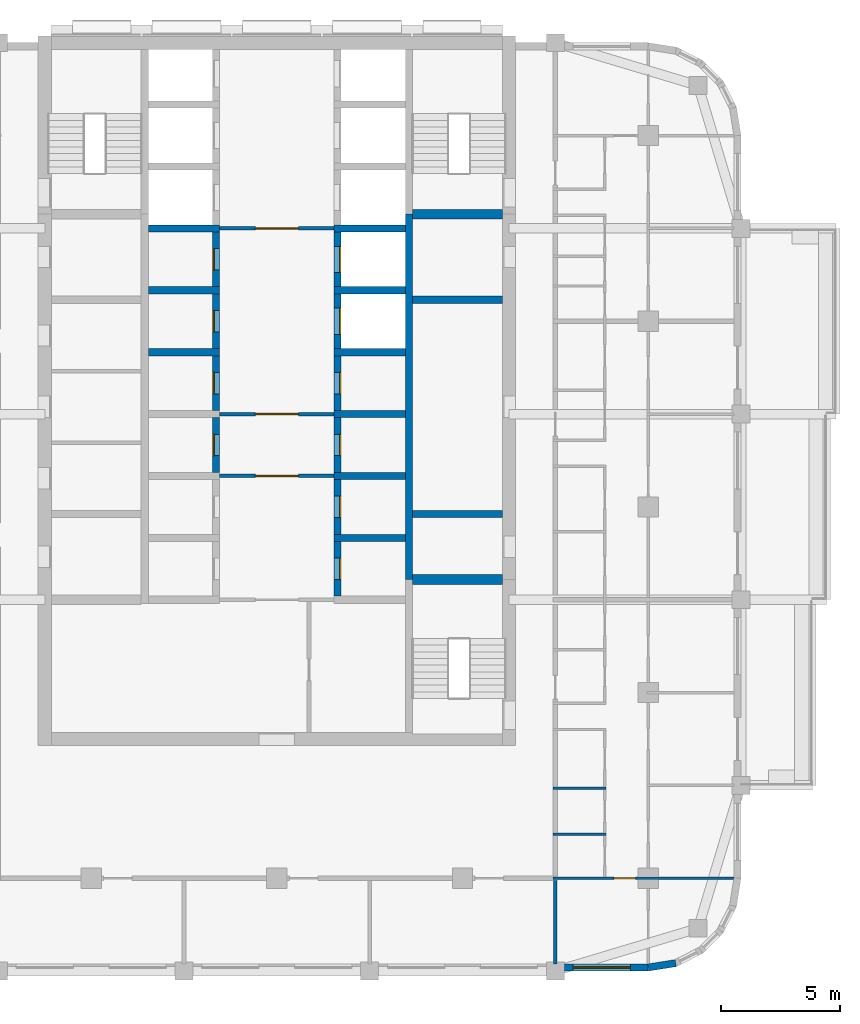
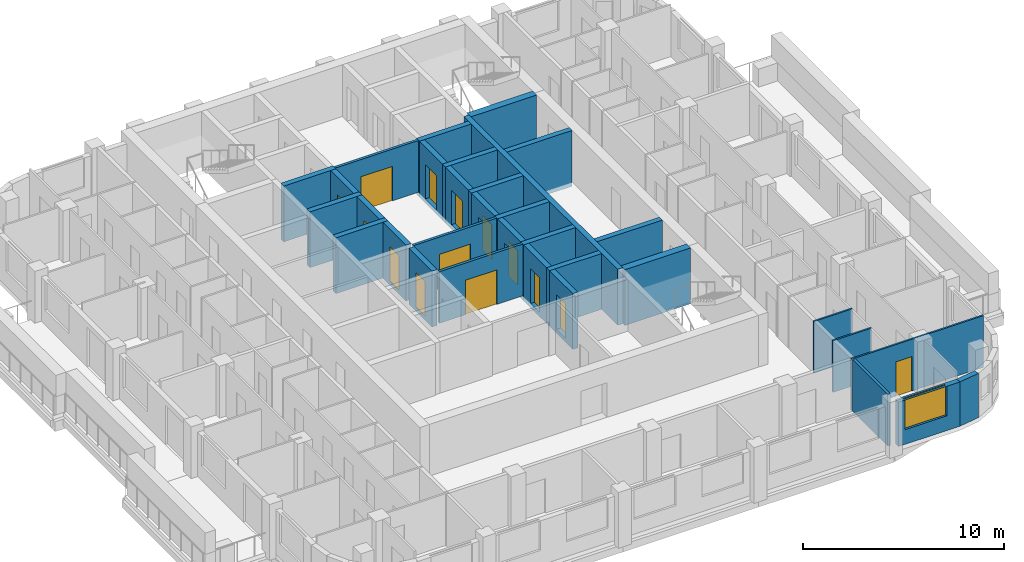
# One storey, part 5 of 13: 33 walls, 14 doors, 1 window, 15 openings.
"""IFC4 building model written with IfcOpenShell, lengths in metres."""

from ifc_helpers import new_model, si_unit, direction, frame, frame_2d, origin, place, context, subcontext, project, spatial, rectangle, extrude, material, layer, layer_set, type_object, element, fill, save


model = new_model("IFC4")

# Units and contexts
model_context = context("Model", 3, precision=1e-05, world=origin(), true_north=direction((0.0, 1.0)))
body_context = subcontext(model_context, "Body", "Model", "MODEL_VIEW")
ifc_project = project(units=[si_unit("LENGTHUNIT", "METRE"), si_unit("AREAUNIT", "SQUARE_METRE"), si_unit("VOLUMEUNIT", "CUBIC_METRE"), si_unit("PLANEANGLEUNIT", "RADIAN"), si_unit("MASSUNIT", "GRAM", prefix="KILO")], contexts=[model_context])

# Site, building, storey
site_placement = place(None, origin())
site = spatial("IfcSite", under=ifc_project, at=site_placement, CompositionType="ELEMENT")
building_placement = place(site_placement, origin())
building = spatial("IfcBuilding", under=site, at=building_placement, Name="Ludao Terraces", CompositionType="ELEMENT")
storey_placement = place(building_placement, frame((0.0, 0.0, 186.0)))
storey = spatial("IfcBuildingStorey", under=building, at=storey_placement, Name="L50", CompositionType="ELEMENT", Elevation=186.0)

# Wall, opening, window
ifc_material_1 = material(Name="Granite cladding", Category="masonry")
ifc_layer_1 = layer(ifc_material_1, 0.0400390625, Category="stone")
ifc_material_2 = material(Name="Mineral wool")
ifc_layer_2 = layer(ifc_material_2, 0.06005859375)
ifc_material_3 = material(Name="Concrete C40", Category="concrete")
ifc_layer_3 = layer(ifc_material_3, 0.199951171875, Category="concrete")
ifc_layer_set_1 = layer_set([ifc_layer_1, ifc_layer_2, ifc_layer_3], Name="ENV Stone-clad wall 300")
wall_type_1 = type_object("IfcWallType", Name="ENV Stone-clad wall 300", PredefinedType="SOLIDWALL", material=ifc_layer_set_1)
wall_1_placement = place(storey_placement, frame((97.074951171875, 45.64990234375, 0.0), z_axis=(0.0, 0.0, 1.0), x_axis=(1.0, 0.0, 0.0)))
wall_1 = element("IfcWall", 1, at=wall_1_placement, inside=storey, type_object=wall_type_1, Name="EW-L50-S5", PredefinedType="SOLIDWALL", context=body_context, shape_type="SweptSolid", body=[
    extrude(rectangle(XDim=3.525146484375, YDim=0.300048828125, at=frame_2d((1.7626953125, 0.0))), origin(), (0.0, 0.0, 1.0), 2.699951171875),
])
opening_1_placement = place(wall_1_placement, frame((0.375, 0.0, 0.89990234375)))
opening_1 = element("IfcOpeningElement", 2, at=opening_1_placement, cuts=wall_1, Name="Opening W1", PredefinedType="OPENING", context=body_context, shape_type="SweptSolid", body=[
    extrude(rectangle(XDim=2.39990234375, YDim=1.800048828125, at=frame_2d((1.199951171875, 0.89990234375))), frame((0.0, 0.16015625, 0.0), z_axis=(0.0, -1.0, 0.0), x_axis=(1.0, 0.0, 0.0)), (0.0, 0.0, 1.0), 0.320068359375),
])
ifc_material_4 = material(Name="Clear glass in aluminium frame", Category="aluminium")
ifc_layer_4 = layer(ifc_material_4, 0.06005859375)
ifc_layer_set_2 = layer_set([ifc_layer_4], Name="ENV Window W1 2400x1800")
window_type = type_object("IfcWindowType", Name="ENV Window W1 2400x1800", PartitioningType="DOUBLE_PANEL_VERTICAL", PredefinedType="WINDOW", material=ifc_layer_set_2)
window_placement = place(opening_1_placement, origin())
window = element("IfcWindow", 3, at=window_placement, inside=storey, type_object=window_type, Name="W-L50-S5-1", OverallHeight=1.800048828125, OverallWidth=2.39990234375, PartitioningType="DOUBLE_PANEL_VERTICAL", PredefinedType="WINDOW", context=body_context, shape_type="SweptSolid", body=[
    extrude(rectangle(XDim=2.39990234375, YDim=1.800048828125, at=frame_2d((1.199951171875, 0.89990234375))), frame((0.0, 0.030029296875, 0.0), z_axis=(0.0, -1.0, 0.0), x_axis=(1.0, 0.0, 0.0)), (0.0, 0.0, 1.0), 0.06005859375),
])
fill(opening_1, window)

# Wall
wall_2_placement = place(storey_placement, frame((100.60009765625, 45.64990234375, 0.0), z_axis=(0.0, 0.0, 1.0), x_axis=(0.987678452879, 0.156496880861, 0.0)))
element("IfcWall", 4, at=wall_2_placement, inside=storey, type_object=wall_type_1, Name="EW-L50-SE1", PredefinedType="SOLIDWALL", context=body_context, shape_type="SweptSolid", body=[
    extrude(rectangle(XDim=1.173095703125, YDim=0.300048828125, at=frame_2d((0.58642578125, 0.0))), origin(), (0.0, 0.0, 1.0), 2.699951171875),
])

# Wall, opening, door
ifc_material_5 = material(Name="Fire-rated gypsum plasterboard", Category="gypsum")
ifc_layer_5 = layer(ifc_material_5, 0.012451171875, Category="gypsum")
ifc_layer_6 = layer(ifc_material_2, 0.10009765625, Name="insulation")
ifc_material_6 = material(Name="Steel Q235", Category="steel")
ifc_layer_7 = layer(ifc_material_6, 0.02490234375, Name="stud")
ifc_layer_8 = layer(ifc_material_5, 0.012451171875, Category="gypsum")
ifc_layer_set_3 = layer_set([ifc_layer_5, ifc_layer_6, ifc_layer_7, ifc_layer_8], Name="INT Core partition 150")
wall_type_2 = type_object("IfcWallType", Name="INT Core partition 150", PredefinedType="PARTITIONING", material=ifc_layer_set_3)
wall_3_placement = place(storey_placement, frame((82.60009765625, 66.300048828125, 0.0), z_axis=(0.0, 0.0, 1.0), x_axis=(1.0, 0.0, 0.0)))
wall_3 = element("IfcWall", 5, at=wall_3_placement, inside=storey, type_object=wall_type_2, Name="PW-L50-PW023", PredefinedType="PARTITIONING", context=body_context, shape_type="SweptSolid", body=[
    extrude(rectangle(XDim=4.800048828125, YDim=0.14990234375, at=frame_2d((2.39990234375, 0.0))), origin(), (0.0, 0.0, 1.0), 3.14990234375),
])
opening_2_placement = place(wall_3_placement, frame((1.5, 0.0, 0.0)))
opening_2 = element("IfcOpeningElement", 6, at=opening_2_placement, cuts=wall_3, Name="Opening R18-043", PredefinedType="OPENING", context=body_context, shape_type="SweptSolid", body=[
    extrude(rectangle(XDim=1.800048828125, YDim=2.10009765625, at=frame_2d((0.89990234375, 1.050048828125))), frame((0.0, 0.0849609375, 0.0), z_axis=(0.0, -1.0, 0.0), x_axis=(1.0, 0.0, 0.0)), (0.0, 0.0, 1.0), 0.169921875),
])
door_type_1 = type_object("IfcDoorType", Name="INT Fire lobby door 1800", OperationType="DOUBLE_DOOR_SINGLE_SWING", PredefinedType="DOOR", material=ifc_material_6)
door_1_placement = place(opening_2_placement, origin())
door_1 = element("IfcDoor", 7, at=door_1_placement, inside=storey, type_object=door_type_1, Name="DOOR 043", OperationType="DOUBLE_DOOR_SINGLE_SWING", OverallHeight=2.10009765625, OverallWidth=1.800048828125, PredefinedType="DOOR", context=body_context, shape_type="SweptSolid", body=[
    extrude(rectangle(XDim=1.800048828125, YDim=2.10009765625, at=frame_2d((0.89990234375, 1.050048828125))), frame((0.0, 0.02490234375, 0.0), z_axis=(0.0, -1.0, 0.0), x_axis=(1.0, 0.0, 0.0)), (0.0, 0.0, 1.0), 0.050048828125),
])
fill(opening_2, door_1)

wall_4_placement = place(storey_placement, frame((82.60009765625, 68.89990234375, 0.0), z_axis=(0.0, 0.0, 1.0), x_axis=(1.0, 0.0, 0.0)))
wall_4 = element("IfcWall", 8, at=wall_4_placement, inside=storey, type_object=wall_type_2, Name="PW-L50-PW029", PredefinedType="PARTITIONING", context=body_context, shape_type="SweptSolid", body=[
    extrude(rectangle(XDim=4.800048828125, YDim=0.14990234375, at=frame_2d((2.39990234375, 0.0))), origin(), (0.0, 0.0, 1.0), 3.14990234375),
])
opening_3_placement = place(wall_4_placement, frame((1.5, 0.0, 0.0)))
opening_3 = element("IfcOpeningElement", 9, at=opening_3_placement, cuts=wall_4, Name="Opening R18-050", PredefinedType="OPENING", context=body_context, shape_type="SweptSolid", body=[
    extrude(rectangle(XDim=1.800048828125, YDim=2.10009765625, at=frame_2d((0.89990234375, 1.050048828125))), frame((0.0, 0.0849609375, 0.0), z_axis=(0.0, -1.0, 0.0), x_axis=(1.0, 0.0, 0.0)), (0.0, 0.0, 1.0), 0.169921875),
])
door_2_placement = place(opening_3_placement, origin())
door_2 = element("IfcDoor", 10, at=door_2_placement, inside=storey, type_object=door_type_1, Name="DOOR 050", OperationType="DOUBLE_DOOR_SINGLE_SWING", OverallHeight=2.10009765625, OverallWidth=1.800048828125, PredefinedType="DOOR", context=body_context, shape_type="SweptSolid", body=[
    extrude(rectangle(XDim=1.800048828125, YDim=2.10009765625, at=frame_2d((0.89990234375, 1.050048828125))), frame((0.0, 0.02490234375, 0.0), z_axis=(0.0, -1.0, 0.0), x_axis=(1.0, 0.0, 0.0)), (0.0, 0.0, 1.0), 0.050048828125),
])
fill(opening_3, door_2)

wall_5_placement = place(storey_placement, frame((82.60009765625, 76.699951171875, 0.0), z_axis=(0.0, 0.0, 1.0), x_axis=(1.0, 0.0, 0.0)))
wall_5 = element("IfcWall", 11, at=wall_5_placement, inside=storey, type_object=wall_type_2, Name="PW-L50-PW042", PredefinedType="PARTITIONING", context=body_context, shape_type="SweptSolid", body=[
    extrude(rectangle(XDim=4.800048828125, YDim=0.14990234375, at=frame_2d((2.39990234375, 0.0))), origin(), (0.0, 0.0, 1.0), 3.14990234375),
])
opening_4_placement = place(wall_5_placement, frame((1.5, 0.0, 0.0)))
opening_4 = element("IfcOpeningElement", 12, at=opening_4_placement, cuts=wall_5, Name="Opening R18-073", PredefinedType="OPENING", context=body_context, shape_type="SweptSolid", body=[
    extrude(rectangle(XDim=1.800048828125, YDim=2.10009765625, at=frame_2d((0.89990234375, 1.050048828125))), frame((0.0, 0.0849609375, 0.0), z_axis=(0.0, -1.0, 0.0), x_axis=(1.0, 0.0, 0.0)), (0.0, 0.0, 1.0), 0.169921875),
])
door_3_placement = place(opening_4_placement, origin())
door_3 = element("IfcDoor", 13, at=door_3_placement, inside=storey, type_object=door_type_1, Name="DOOR 073", OperationType="DOUBLE_DOOR_SINGLE_SWING", OverallHeight=2.10009765625, OverallWidth=1.800048828125, PredefinedType="DOOR", context=body_context, shape_type="SweptSolid", body=[
    extrude(rectangle(XDim=1.800048828125, YDim=2.10009765625, at=frame_2d((0.89990234375, 1.050048828125))), frame((0.0, 0.02490234375, 0.0), z_axis=(0.0, -1.0, 0.0), x_axis=(1.0, 0.0, 0.0)), (0.0, 0.0, 1.0), 0.050048828125),
])
fill(opening_4, door_3)

ifc_material_7 = material(Name="Gypsum plasterboard", Category="gypsum")
ifc_layer_9 = layer(ifc_material_7, 0.012451171875, Category="gypsum")
ifc_layer_10 = layer(ifc_material_2, 0.06005859375, Name="insulation")
ifc_layer_11 = layer(ifc_material_6, 0.014892578125, Name="stud")
ifc_layer_12 = layer(ifc_material_7, 0.012451171875, Category="gypsum")
ifc_layer_set_4 = layer_set([ifc_layer_9, ifc_layer_10, ifc_layer_11, ifc_layer_12], Name="INT Partition 100")
wall_type_3 = type_object("IfcWallType", Name="INT Partition 100", PredefinedType="PARTITIONING", material=ifc_layer_set_4)
wall_6_placement = place(storey_placement, frame((96.60009765625, 49.39990234375, 0.0), z_axis=(0.0, 0.0, 1.0), x_axis=(1.0, 0.0, 0.0)))
wall_6 = element("IfcWall", 14, at=wall_6_placement, inside=storey, type_object=wall_type_3, Name="PW-L50-PW002", PredefinedType="PARTITIONING", context=body_context, shape_type="SweptSolid", body=[
    extrude(rectangle(XDim=7.60009765625, YDim=0.10009765625, at=frame_2d((3.800048828125, 0.0))), origin(), (0.0, 0.0, 1.0), 3.14990234375),
])
opening_5_placement = place(wall_6_placement, frame((2.56005859375, 0.0, 0.0)))
opening_5 = element("IfcOpeningElement", 15, at=opening_5_placement, cuts=wall_6, Name="Opening R18-007", PredefinedType="OPENING", context=body_context, shape_type="SweptSolid", body=[
    extrude(rectangle(XDim=0.89990234375, YDim=2.10009765625, at=frame_2d((0.449951171875, 1.050048828125))), frame((0.0, 0.06005859375, 0.0), z_axis=(0.0, -1.0, 0.0), x_axis=(1.0, 0.0, 0.0)), (0.0, 0.0, 1.0), 0.1201171875),
])
ifc_material_8 = material(Name="Timber door leaf", Category="wood")
door_type_2 = type_object("IfcDoorType", Name="INT Room door 900", OperationType="SINGLE_SWING_LEFT", PredefinedType="DOOR", material=ifc_material_8)
door_4_placement = place(opening_5_placement, origin())
door_4 = element("IfcDoor", 16, at=door_4_placement, inside=storey, type_object=door_type_2, Name="DOOR 007", OperationType="SINGLE_SWING_LEFT", OverallHeight=2.10009765625, OverallWidth=0.89990234375, PredefinedType="DOOR", context=body_context, shape_type="SweptSolid", body=[
    extrude(rectangle(XDim=0.89990234375, YDim=2.10009765625, at=frame_2d((0.449951171875, 1.050048828125))), frame((0.0, 0.02490234375, 0.0), z_axis=(0.0, -1.0, 0.0), x_axis=(1.0, 0.0, 0.0)), (0.0, 0.0, 1.0), 0.050048828125),
])
fill(opening_5, door_4)

# Walls
for number, where, z_axis, x_axis, name in (
    (17, (96.60009765625, 51.25, 0.0), (0.0, 0.0, 1.0), (1.0, 0.0, 0.0), "PW-L50-PW003"),
    (18, (96.60009765625, 53.179931640625, 0.0), (0.0, 0.0, 1.0), (1.0, 0.0, 0.0), "PW-L50-PW005"),
):
    element("IfcWall", number, at=place(storey_placement, frame(where, z_axis=z_axis, x_axis=x_axis)), inside=storey, type_object=wall_type_3, Name=name, PredefinedType="PARTITIONING", context=body_context, shape_type="SweptSolid", body=[
        extrude(rectangle(XDim=2.219970703125, YDim=0.10009765625, at=frame_2d((1.10986328125, 0.0))), origin(), (0.0, 0.0, 1.0), 3.14990234375),
    ])
ifc_material_9 = material(Name="Autoclaved aerated concrete block B06 A3.5", Category="concrete")
ifc_layer_13 = layer(ifc_material_9, 0.14990234375)
ifc_layer_set_5 = layer_set([ifc_layer_13], Name="INT Party wall 150")
wall_type_4 = type_object("IfcWallType", Name="INT Party wall 150", PredefinedType="PARTITIONING", material=ifc_layer_set_5)
wall_7_placement = place(storey_placement, frame((96.699951171875, 45.800048828125, 0.0), z_axis=(0.0, 0.0, 1.0), x_axis=(0.0, 1.0, 0.0)))
element("IfcWall", 19, at=wall_7_placement, inside=storey, type_object=wall_type_4, Name="PW-L50-PW058", PredefinedType="PARTITIONING", context=body_context, shape_type="SweptSolid", body=[
    extrude(rectangle(XDim=3.5, YDim=0.14990234375, at=frame_2d((1.75, 0.0))), origin(), (0.0, 0.0, 1.0), 3.14990234375),
])
ifc_material_10 = material(Name="Concrete C55", Category="concrete")
ifc_layer_14 = layer(ifc_material_10, 0.300048828125)
ifc_layer_set_6 = layer_set([ifc_layer_14], Name="Shaft wall 300 C55")
wall_type_5 = type_object("IfcWallType", Name="Shaft wall 300 C55", PredefinedType="SOLIDWALL", material=ifc_layer_set_6)
wall_8_placement = place(storey_placement, frame((90.550048828125, 61.949951171875, -0.25), z_axis=(0.0, 0.0, 1.0), x_axis=(0.0, 1.0, 0.0)))
element("IfcWall", 20, at=wall_8_placement, inside=storey, type_object=wall_type_5, Name="Core wall L50 back-E", PredefinedType="SOLIDWALL", context=body_context, shape_type="SweptSolid", body=[
    extrude(rectangle(XDim=15.35009765625, YDim=0.300048828125, at=frame_2d((7.675048828125, 0.0))), origin(), (0.0, 0.0, 1.0), 3.39990234375),
])

# Wall, opening, door
wall_9_placement = place(storey_placement, frame((82.449951171875, 66.449951171875, -0.25), z_axis=(0.0, 0.0, 1.0), x_axis=(0.0, 1.0, 0.0)))
wall_9 = element("IfcWall", 21, at=wall_9_placement, inside=storey, type_object=wall_type_5, Name="Core wall L50 front-W3", PredefinedType="SOLIDWALL", context=body_context, shape_type="SweptSolid", body=[
    extrude(rectangle(XDim=2.300048828125, YDim=0.300048828125, at=frame_2d((1.14990234375, 0.0))), origin(), (0.0, 0.0, 1.0), 3.39990234375),
])
opening_6_placement = place(wall_9_placement, frame((0.699951171875, 0.0, 0.25)))
opening_6 = element("IfcOpeningElement", 22, at=opening_6_placement, cuts=wall_9, Name="Opening R18-045", PredefinedType="OPENING", context=body_context, shape_type="SweptSolid", body=[
    extrude(rectangle(XDim=0.89990234375, YDim=2.10009765625, at=frame_2d((0.449951171875, 1.050048828125))), frame((0.0, 0.16015625, 0.0), z_axis=(0.0, -1.0, 0.0), x_axis=(1.0, 0.0, 0.0)), (0.0, 0.0, 1.0), 0.320068359375),
])
door_5_placement = place(opening_6_placement, origin())
door_5 = element("IfcDoor", 23, at=door_5_placement, inside=storey, type_object=door_type_2, Name="DOOR 045", OperationType="SINGLE_SWING_RIGHT", OverallHeight=2.10009765625, OverallWidth=0.89990234375, PredefinedType="DOOR", context=body_context, shape_type="SweptSolid", body=[
    extrude(rectangle(XDim=0.89990234375, YDim=2.10009765625, at=frame_2d((0.449951171875, 1.050048828125))), frame((0.0, 0.13525390625, 0.0), z_axis=(0.0, -1.0, 0.0), x_axis=(1.0, 0.0, 0.0)), (0.0, 0.0, 1.0), 0.050048828125),
])
fill(opening_6, door_5)

wall_10_placement = place(storey_placement, frame((82.449951171875, 69.050048828125, -0.25), z_axis=(0.0, 0.0, 1.0), x_axis=(0.0, 1.0, 0.0)))
wall_10 = element("IfcWall", 24, at=wall_10_placement, inside=storey, type_object=wall_type_5, Name="Core wall L50 front-W4", PredefinedType="SOLIDWALL", context=body_context, shape_type="SweptSolid", body=[
    extrude(rectangle(XDim=2.300048828125, YDim=0.300048828125, at=frame_2d((1.14990234375, 0.0))), origin(), (0.0, 0.0, 1.0), 3.39990234375),
])
opening_7_placement = place(wall_10_placement, frame((0.699951171875, 0.0, 0.25)))
opening_7 = element("IfcOpeningElement", 25, at=opening_7_placement, cuts=wall_10, Name="Opening R18-053", PredefinedType="OPENING", context=body_context, shape_type="SweptSolid", body=[
    extrude(rectangle(XDim=0.89990234375, YDim=2.10009765625, at=frame_2d((0.449951171875, 1.050048828125))), frame((0.0, 0.16015625, 0.0), z_axis=(0.0, -1.0, 0.0), x_axis=(1.0, 0.0, 0.0)), (0.0, 0.0, 1.0), 0.320068359375),
])
door_6_placement = place(opening_7_placement, origin())
door_6 = element("IfcDoor", 26, at=door_6_placement, inside=storey, type_object=door_type_2, Name="DOOR 053", OperationType="SINGLE_SWING_LEFT", OverallHeight=2.10009765625, OverallWidth=0.89990234375, PredefinedType="DOOR", context=body_context, shape_type="SweptSolid", body=[
    extrude(rectangle(XDim=0.89990234375, YDim=2.10009765625, at=frame_2d((0.449951171875, 1.050048828125))), frame((0.0, 0.13525390625, 0.0), z_axis=(0.0, -1.0, 0.0), x_axis=(1.0, 0.0, 0.0)), (0.0, 0.0, 1.0), 0.050048828125),
])
fill(opening_7, door_6)

# Wall
wall_11_placement = place(storey_placement, frame((79.60009765625, 71.5, -0.25), z_axis=(0.0, 0.0, 1.0), x_axis=(1.0, 0.0, 0.0)))
element("IfcWall", 27, at=wall_11_placement, inside=storey, type_object=wall_type_5, Name="Core wall L50 div-W5", PredefinedType="SOLIDWALL", context=body_context, shape_type="SweptSolid", body=[
    extrude(rectangle(XDim=3.0, YDim=0.300048828125, at=frame_2d((1.5, 0.0))), origin(), (0.0, 0.0, 1.0), 3.39990234375),
])

# Wall, opening, door
wall_12_placement = place(storey_placement, frame((82.449951171875, 71.64990234375, -0.25), z_axis=(0.0, 0.0, 1.0), x_axis=(0.0, 1.0, 0.0)))
wall_12 = element("IfcWall", 28, at=wall_12_placement, inside=storey, type_object=wall_type_5, Name="Core wall L50 front-W5", PredefinedType="SOLIDWALL", context=body_context, shape_type="SweptSolid", body=[
    extrude(rectangle(XDim=2.300048828125, YDim=0.300048828125, at=frame_2d((1.14990234375, 0.0))), origin(), (0.0, 0.0, 1.0), 3.39990234375),
])
opening_8_placement = place(wall_12_placement, frame((0.699951171875, 0.0, 0.25)))
opening_8 = element("IfcOpeningElement", 29, at=opening_8_placement, cuts=wall_12, Name="Opening R18-061", PredefinedType="OPENING", context=body_context, shape_type="SweptSolid", body=[
    extrude(rectangle(XDim=0.89990234375, YDim=2.10009765625, at=frame_2d((0.449951171875, 1.050048828125))), frame((0.0, 0.16015625, 0.0), z_axis=(0.0, -1.0, 0.0), x_axis=(1.0, 0.0, 0.0)), (0.0, 0.0, 1.0), 0.320068359375),
])
door_7_placement = place(opening_8_placement, origin())
door_7 = element("IfcDoor", 30, at=door_7_placement, inside=storey, type_object=door_type_2, Name="DOOR 061", OperationType="SINGLE_SWING_LEFT", OverallHeight=2.10009765625, OverallWidth=0.89990234375, PredefinedType="DOOR", context=body_context, shape_type="SweptSolid", body=[
    extrude(rectangle(XDim=0.89990234375, YDim=2.10009765625, at=frame_2d((0.449951171875, 1.050048828125))), frame((0.0, 0.13525390625, 0.0), z_axis=(0.0, -1.0, 0.0), x_axis=(1.0, 0.0, 0.0)), (0.0, 0.0, 1.0), 0.050048828125),
])
fill(opening_8, door_7)

# Wall
wall_13_placement = place(storey_placement, frame((79.60009765625, 74.10009765625, -0.25), z_axis=(0.0, 0.0, 1.0), x_axis=(1.0, 0.0, 0.0)))
element("IfcWall", 31, at=wall_13_placement, inside=storey, type_object=wall_type_5, Name="Core wall L50 div-W6", PredefinedType="SOLIDWALL", context=body_context, shape_type="SweptSolid", body=[
    extrude(rectangle(XDim=3.0, YDim=0.300048828125, at=frame_2d((1.5, 0.0))), origin(), (0.0, 0.0, 1.0), 3.39990234375),
])

# Wall, opening, door
wall_14_placement = place(storey_placement, frame((82.449951171875, 74.25, -0.25), z_axis=(0.0, 0.0, 1.0), x_axis=(0.0, 1.0, 0.0)))
wall_14 = element("IfcWall", 32, at=wall_14_placement, inside=storey, type_object=wall_type_5, Name="Core wall L50 front-W6", PredefinedType="SOLIDWALL", context=body_context, shape_type="SweptSolid", body=[
    extrude(rectangle(XDim=2.300048828125, YDim=0.300048828125, at=frame_2d((1.14990234375, 0.0))), origin(), (0.0, 0.0, 1.0), 3.39990234375),
])
opening_9_placement = place(wall_14_placement, frame((0.699951171875, 0.0, 0.25)))
opening_9 = element("IfcOpeningElement", 33, at=opening_9_placement, cuts=wall_14, Name="Opening R18-068", PredefinedType="OPENING", context=body_context, shape_type="SweptSolid", body=[
    extrude(rectangle(XDim=0.89990234375, YDim=2.10009765625, at=frame_2d((0.449951171875, 1.050048828125))), frame((0.0, 0.16015625, 0.0), z_axis=(0.0, -1.0, 0.0), x_axis=(1.0, 0.0, 0.0)), (0.0, 0.0, 1.0), 0.320068359375),
])
door_8_placement = place(opening_9_placement, origin())
door_8 = element("IfcDoor", 34, at=door_8_placement, inside=storey, type_object=door_type_2, Name="DOOR 068", OperationType="SINGLE_SWING_RIGHT", OverallHeight=2.10009765625, OverallWidth=0.89990234375, PredefinedType="DOOR", context=body_context, shape_type="SweptSolid", body=[
    extrude(rectangle(XDim=0.89990234375, YDim=2.10009765625, at=frame_2d((0.449951171875, 1.050048828125))), frame((0.0, 0.13525390625, 0.0), z_axis=(0.0, -1.0, 0.0), x_axis=(1.0, 0.0, 0.0)), (0.0, 0.0, 1.0), 0.050048828125),
])
fill(opening_9, door_8)

# Wall
wall_15_placement = place(storey_placement, frame((79.60009765625, 76.699951171875, -0.25), z_axis=(0.0, 0.0, 1.0), x_axis=(1.0, 0.0, 0.0)))
element("IfcWall", 35, at=wall_15_placement, inside=storey, type_object=wall_type_5, Name="Core wall L50 div-W7", PredefinedType="SOLIDWALL", context=body_context, shape_type="SweptSolid", body=[
    extrude(rectangle(XDim=3.0, YDim=0.300048828125, at=frame_2d((1.5, 0.0))), origin(), (0.0, 0.0, 1.0), 3.39990234375),
])

# Wall, opening, door
wall_16_placement = place(storey_placement, frame((87.550048828125, 61.25, -0.25), z_axis=(0.0, 0.0, 1.0), x_axis=(0.0, 1.0, 0.0)))
wall_16 = element("IfcWall", 36, at=wall_16_placement, inside=storey, type_object=wall_type_5, Name="Core wall L50 front-E1", PredefinedType="SOLIDWALL", context=body_context, shape_type="SweptSolid", body=[
    extrude(rectangle(XDim=2.300048828125, YDim=0.300048828125, at=frame_2d((1.14990234375, 0.0))), origin(), (0.0, 0.0, 1.0), 3.39990234375),
])
opening_10_placement = place(wall_16_placement, frame((0.699951171875, 0.0, 0.25)))
opening_10 = element("IfcOpeningElement", 37, at=opening_10_placement, cuts=wall_16, Name="Opening R18-030", PredefinedType="OPENING", context=body_context, shape_type="SweptSolid", body=[
    extrude(rectangle(XDim=0.89990234375, YDim=2.10009765625, at=frame_2d((0.449951171875, 1.050048828125))), frame((0.0, 0.16015625, 0.0), z_axis=(0.0, -1.0, 0.0), x_axis=(1.0, 0.0, 0.0)), (0.0, 0.0, 1.0), 0.320068359375),
])
door_9_placement = place(opening_10_placement, origin())
door_9 = element("IfcDoor", 38, at=door_9_placement, inside=storey, type_object=door_type_2, Name="DOOR 030", OperationType="SINGLE_SWING_LEFT", OverallHeight=2.10009765625, OverallWidth=0.89990234375, PredefinedType="DOOR", context=body_context, shape_type="SweptSolid", body=[
    extrude(rectangle(XDim=0.89990234375, YDim=2.10009765625, at=frame_2d((0.449951171875, 1.050048828125))), frame((0.0, -0.0849609375, 0.0), z_axis=(0.0, -1.0, 0.0), x_axis=(1.0, 0.0, 0.0)), (0.0, 0.0, 1.0), 0.050048828125),
])
fill(opening_10, door_9)

# Wall
wall_17_placement = place(storey_placement, frame((87.39990234375, 63.699951171875, -0.25), z_axis=(0.0, 0.0, 1.0), x_axis=(1.0, 0.0, 0.0)))
element("IfcWall", 39, at=wall_17_placement, inside=storey, type_object=wall_type_5, Name="Core wall L50 div-E2", PredefinedType="SOLIDWALL", context=body_context, shape_type="SweptSolid", body=[
    extrude(rectangle(XDim=3.0, YDim=0.300048828125, at=frame_2d((1.5, 0.0))), origin(), (0.0, 0.0, 1.0), 3.39990234375),
])

# Wall, opening, door
wall_18_placement = place(storey_placement, frame((87.550048828125, 63.85009765625, -0.25), z_axis=(0.0, 0.0, 1.0), x_axis=(0.0, 1.0, 0.0)))
wall_18 = element("IfcWall", 40, at=wall_18_placement, inside=storey, type_object=wall_type_5, Name="Core wall L50 front-E2", PredefinedType="SOLIDWALL", context=body_context, shape_type="SweptSolid", body=[
    extrude(rectangle(XDim=2.2998046875, YDim=0.300048828125, at=frame_2d((1.14990234375, 0.0))), origin(), (0.0, 0.0, 1.0), 3.39990234375),
])
opening_11_placement = place(wall_18_placement, frame((0.699951171875, 0.0, 0.25)))
opening_11 = element("IfcOpeningElement", 41, at=opening_11_placement, cuts=wall_18, Name="Opening R18-038", PredefinedType="OPENING", context=body_context, shape_type="SweptSolid", body=[
    extrude(rectangle(XDim=0.89990234375, YDim=2.10009765625, at=frame_2d((0.449951171875, 1.050048828125))), frame((0.0, 0.16015625, 0.0), z_axis=(0.0, -1.0, 0.0), x_axis=(1.0, 0.0, 0.0)), (0.0, 0.0, 1.0), 0.320068359375),
])
door_10_placement = place(opening_11_placement, origin())
door_10 = element("IfcDoor", 42, at=door_10_placement, inside=storey, type_object=door_type_2, Name="DOOR 038", OperationType="SINGLE_SWING_RIGHT", OverallHeight=2.10009765625, OverallWidth=0.89990234375, PredefinedType="DOOR", context=body_context, shape_type="SweptSolid", body=[
    extrude(rectangle(XDim=0.89990234375, YDim=2.10009765625, at=frame_2d((0.449951171875, 1.050048828125))), frame((0.0, -0.0849609375, 0.0), z_axis=(0.0, -1.0, 0.0), x_axis=(1.0, 0.0, 0.0)), (0.0, 0.0, 1.0), 0.050048828125),
])
fill(opening_11, door_10)

# Wall
wall_19_placement = place(storey_placement, frame((87.39990234375, 66.300048828125, -0.25), z_axis=(0.0, 0.0, 1.0), x_axis=(1.0, 0.0, 0.0)))
element("IfcWall", 43, at=wall_19_placement, inside=storey, type_object=wall_type_5, Name="Core wall L50 div-E3", PredefinedType="SOLIDWALL", context=body_context, shape_type="SweptSolid", body=[
    extrude(rectangle(XDim=3.0, YDim=0.300048828125, at=frame_2d((1.5, 0.0))), origin(), (0.0, 0.0, 1.0), 3.39990234375),
])

# Wall, opening, door
wall_20_placement = place(storey_placement, frame((87.550048828125, 66.449951171875, -0.25), z_axis=(0.0, 0.0, 1.0), x_axis=(0.0, 1.0, 0.0)))
wall_20 = element("IfcWall", 44, at=wall_20_placement, inside=storey, type_object=wall_type_5, Name="Core wall L50 front-E3", PredefinedType="SOLIDWALL", context=body_context, shape_type="SweptSolid", body=[
    extrude(rectangle(XDim=2.300048828125, YDim=0.300048828125, at=frame_2d((1.14990234375, 0.0))), origin(), (0.0, 0.0, 1.0), 3.39990234375),
])
opening_12_placement = place(wall_20_placement, frame((0.699951171875, 0.0, 0.25)))
opening_12 = element("IfcOpeningElement", 45, at=opening_12_placement, cuts=wall_20, Name="Opening R18-046", PredefinedType="OPENING", context=body_context, shape_type="SweptSolid", body=[
    extrude(rectangle(XDim=0.89990234375, YDim=2.10009765625, at=frame_2d((0.449951171875, 1.050048828125))), frame((0.0, 0.16015625, 0.0), z_axis=(0.0, -1.0, 0.0), x_axis=(1.0, 0.0, 0.0)), (0.0, 0.0, 1.0), 0.320068359375),
])
door_11_placement = place(opening_12_placement, origin())
door_11 = element("IfcDoor", 46, at=door_11_placement, inside=storey, type_object=door_type_2, Name="DOOR 046", OperationType="SINGLE_SWING_LEFT", OverallHeight=2.10009765625, OverallWidth=0.89990234375, PredefinedType="DOOR", context=body_context, shape_type="SweptSolid", body=[
    extrude(rectangle(XDim=0.89990234375, YDim=2.10009765625, at=frame_2d((0.449951171875, 1.050048828125))), frame((0.0, -0.0849609375, 0.0), z_axis=(0.0, -1.0, 0.0), x_axis=(1.0, 0.0, 0.0)), (0.0, 0.0, 1.0), 0.050048828125),
])
fill(opening_12, door_11)

# Wall
wall_21_placement = place(storey_placement, frame((87.39990234375, 68.89990234375, -0.25), z_axis=(0.0, 0.0, 1.0), x_axis=(1.0, 0.0, 0.0)))
element("IfcWall", 47, at=wall_21_placement, inside=storey, type_object=wall_type_5, Name="Core wall L50 div-E4", PredefinedType="SOLIDWALL", context=body_context, shape_type="SweptSolid", body=[
    extrude(rectangle(XDim=3.0, YDim=0.300048828125, at=frame_2d((1.5, 0.0))), origin(), (0.0, 0.0, 1.0), 3.39990234375),
])

# Wall, opening, door
wall_22_placement = place(storey_placement, frame((87.550048828125, 69.050048828125, -0.25), z_axis=(0.0, 0.0, 1.0), x_axis=(0.0, 1.0, 0.0)))
wall_22 = element("IfcWall", 48, at=wall_22_placement, inside=storey, type_object=wall_type_5, Name="Core wall L50 front-E4", PredefinedType="SOLIDWALL", context=body_context, shape_type="SweptSolid", body=[
    extrude(rectangle(XDim=2.300048828125, YDim=0.300048828125, at=frame_2d((1.14990234375, 0.0))), origin(), (0.0, 0.0, 1.0), 3.39990234375),
])
opening_13_placement = place(wall_22_placement, frame((0.699951171875, 0.0, 0.25)))
opening_13 = element("IfcOpeningElement", 49, at=opening_13_placement, cuts=wall_22, Name="Opening R18-054", PredefinedType="OPENING", context=body_context, shape_type="SweptSolid", body=[
    extrude(rectangle(XDim=0.89990234375, YDim=2.10009765625, at=frame_2d((0.449951171875, 1.050048828125))), frame((0.0, 0.16015625, 0.0), z_axis=(0.0, -1.0, 0.0), x_axis=(1.0, 0.0, 0.0)), (0.0, 0.0, 1.0), 0.320068359375),
])
door_12_placement = place(opening_13_placement, origin())
door_12 = element("IfcDoor", 50, at=door_12_placement, inside=storey, type_object=door_type_2, Name="DOOR 054", OperationType="SINGLE_SWING_RIGHT", OverallHeight=2.10009765625, OverallWidth=0.89990234375, PredefinedType="DOOR", context=body_context, shape_type="SweptSolid", body=[
    extrude(rectangle(XDim=0.89990234375, YDim=2.10009765625, at=frame_2d((0.449951171875, 1.050048828125))), frame((0.0, -0.0849609375, 0.0), z_axis=(0.0, -1.0, 0.0), x_axis=(1.0, 0.0, 0.0)), (0.0, 0.0, 1.0), 0.050048828125),
])
fill(opening_13, door_12)

# Wall
wall_23_placement = place(storey_placement, frame((87.39990234375, 71.5, -0.25), z_axis=(0.0, 0.0, 1.0), x_axis=(1.0, 0.0, 0.0)))
element("IfcWall", 51, at=wall_23_placement, inside=storey, type_object=wall_type_5, Name="Core wall L50 div-E5", PredefinedType="SOLIDWALL", context=body_context, shape_type="SweptSolid", body=[
    extrude(rectangle(XDim=3.0, YDim=0.300048828125, at=frame_2d((1.5, 0.0))), origin(), (0.0, 0.0, 1.0), 3.39990234375),
])

# Wall, opening, door
wall_24_placement = place(storey_placement, frame((87.550048828125, 71.64990234375, -0.25), z_axis=(0.0, 0.0, 1.0), x_axis=(0.0, 1.0, 0.0)))
wall_24 = element("IfcWall", 52, at=wall_24_placement, inside=storey, type_object=wall_type_5, Name="Core wall L50 front-E5", PredefinedType="SOLIDWALL", context=body_context, shape_type="SweptSolid", body=[
    extrude(rectangle(XDim=2.300048828125, YDim=0.300048828125, at=frame_2d((1.14990234375, 0.0))), origin(), (0.0, 0.0, 1.0), 3.39990234375),
])
opening_14_placement = place(wall_24_placement, frame((0.60009765625, 0.0, 0.25)))
opening_14 = element("IfcOpeningElement", 53, at=opening_14_placement, cuts=wall_24, Name="Opening LD-LB1", PredefinedType="OPENING", context=body_context, shape_type="SweptSolid", body=[
    extrude(rectangle(XDim=1.10009765625, YDim=2.10009765625, at=frame_2d((0.550048828125, 1.050048828125))), frame((0.0, 0.16015625, 0.0), z_axis=(0.0, -1.0, 0.0), x_axis=(1.0, 0.0, 0.0)), (0.0, 0.0, 1.0), 0.320068359375),
])
ifc_material_11 = material(Name="Stainless steel 304", Category="steel")
door_type_3 = type_object("IfcDoorType", Name="INT Lift landing door 1100", OperationType="SLIDING_TO_LEFT", PredefinedType="DOOR", material=ifc_material_11)
door_13_placement = place(opening_14_placement, origin())
door_13 = element("IfcDoor", 54, at=door_13_placement, inside=storey, type_object=door_type_3, Name="LANDING DOOR LB1 L50", OperationType="SLIDING_TO_LEFT", OverallHeight=2.10009765625, OverallWidth=1.10009765625, PredefinedType="DOOR", context=body_context, shape_type="SweptSolid", body=[
    extrude(rectangle(XDim=1.10009765625, YDim=2.10009765625, at=frame_2d((0.550048828125, 1.050048828125))), frame((0.0, -0.0849609375, 0.0), z_axis=(0.0, -1.0, 0.0), x_axis=(1.0, 0.0, 0.0)), (0.0, 0.0, 1.0), 0.050048828125),
])
fill(opening_14, door_13)

# Wall
wall_25_placement = place(storey_placement, frame((87.39990234375, 74.10009765625, -0.25), z_axis=(0.0, 0.0, 1.0), x_axis=(1.0, 0.0, 0.0)))
element("IfcWall", 55, at=wall_25_placement, inside=storey, type_object=wall_type_5, Name="Core wall L50 div-E6", PredefinedType="SOLIDWALL", context=body_context, shape_type="SweptSolid", body=[
    extrude(rectangle(XDim=3.0, YDim=0.300048828125, at=frame_2d((1.5, 0.0))), origin(), (0.0, 0.0, 1.0), 3.39990234375),
])

# Wall, opening, door
wall_26_placement = place(storey_placement, frame((87.550048828125, 74.25, -0.25), z_axis=(0.0, 0.0, 1.0), x_axis=(0.0, 1.0, 0.0)))
wall_26 = element("IfcWall", 56, at=wall_26_placement, inside=storey, type_object=wall_type_5, Name="Core wall L50 front-E6", PredefinedType="SOLIDWALL", context=body_context, shape_type="SweptSolid", body=[
    extrude(rectangle(XDim=2.300048828125, YDim=0.300048828125, at=frame_2d((1.14990234375, 0.0))), origin(), (0.0, 0.0, 1.0), 3.39990234375),
])
opening_15_placement = place(wall_26_placement, frame((0.60009765625, 0.0, 0.25)))
opening_15 = element("IfcOpeningElement", 57, at=opening_15_placement, cuts=wall_26, Name="Opening LD-LB2", PredefinedType="OPENING", context=body_context, shape_type="SweptSolid", body=[
    extrude(rectangle(XDim=1.10009765625, YDim=2.10009765625, at=frame_2d((0.550048828125, 1.050048828125))), frame((0.0, 0.16015625, 0.0), z_axis=(0.0, -1.0, 0.0), x_axis=(1.0, 0.0, 0.0)), (0.0, 0.0, 1.0), 0.320068359375),
])
door_14_placement = place(opening_15_placement, origin())
door_14 = element("IfcDoor", 58, at=door_14_placement, inside=storey, type_object=door_type_3, Name="LANDING DOOR LB2 L50", OperationType="SLIDING_TO_LEFT", OverallHeight=2.10009765625, OverallWidth=1.10009765625, PredefinedType="DOOR", context=body_context, shape_type="SweptSolid", body=[
    extrude(rectangle(XDim=1.10009765625, YDim=2.10009765625, at=frame_2d((0.550048828125, 1.050048828125))), frame((0.0, -0.0849609375, 0.0), z_axis=(0.0, -1.0, 0.0), x_axis=(1.0, 0.0, 0.0)), (0.0, 0.0, 1.0), 0.050048828125),
])
fill(opening_15, door_14)

# Walls
wall_27_placement = place(storey_placement, frame((87.39990234375, 76.699951171875, -0.25), z_axis=(0.0, 0.0, 1.0), x_axis=(1.0, 0.0, 0.0)))
element("IfcWall", 59, at=wall_27_placement, inside=storey, type_object=wall_type_5, Name="Core wall L50 div-E7", PredefinedType="SOLIDWALL", context=body_context, shape_type="SweptSolid", body=[
    extrude(rectangle(XDim=3.0, YDim=0.300048828125, at=frame_2d((1.5, 0.0))), origin(), (0.0, 0.0, 1.0), 3.39990234375),
])
for number, where, z_axis, x_axis, name in (
    (60, (90.699951171875, 64.699951171875, -0.25), (0.0, 0.0, 1.0), (1.0, 0.0, 0.0), "Core wall L50 riser-a-E"),
    (61, (90.699951171875, 73.699951171875, -0.25), (0.0, 0.0, 1.0), (1.0, 0.0, 0.0), "Core wall L50 riser-b-E"),
):
    element("IfcWall", number, at=place(storey_placement, frame(where, z_axis=z_axis, x_axis=x_axis)), inside=storey, type_object=wall_type_5, Name=name, PredefinedType="SOLIDWALL", context=body_context, shape_type="SweptSolid", body=[
        extrude(rectangle(XDim=3.775146484375, YDim=0.300048828125, at=frame_2d((1.8876953125, 0.0))), origin(), (0.0, 0.0, 1.0), 3.39990234375),
    ])
ifc_layer_15 = layer(ifc_material_10, 0.39990234375)
ifc_layer_set_7 = layer_set([ifc_layer_15], Name="Shaft wall 400 C55")
wall_type_6 = type_object("IfcWallType", Name="Shaft wall 400 C55", PredefinedType="SOLIDWALL", material=ifc_layer_set_7)
for number, where, z_axis, x_axis, name in (
    (62, (90.699951171875, 61.949951171875, -0.25), (0.0, 0.0, 1.0), (1.0, 0.0, 0.0), "Core wall L50 hall-E"),
    (63, (90.699951171875, 77.300048828125, -0.25), (0.0, 0.0, 1.0), (1.0, 0.0, 0.0), "Core wall L50 stair-E"),
):
    element("IfcWall", number, at=place(storey_placement, frame(where, z_axis=z_axis, x_axis=x_axis)), inside=storey, type_object=wall_type_6, Name=name, PredefinedType="SOLIDWALL", context=body_context, shape_type="SweptSolid", body=[
        extrude(rectangle(XDim=3.775146484375, YDim=0.39990234375, at=frame_2d((1.8876953125, 0.0))), origin(), (0.0, 0.0, 1.0), 3.39990234375),
    ])

save(model, "model.ifc")
